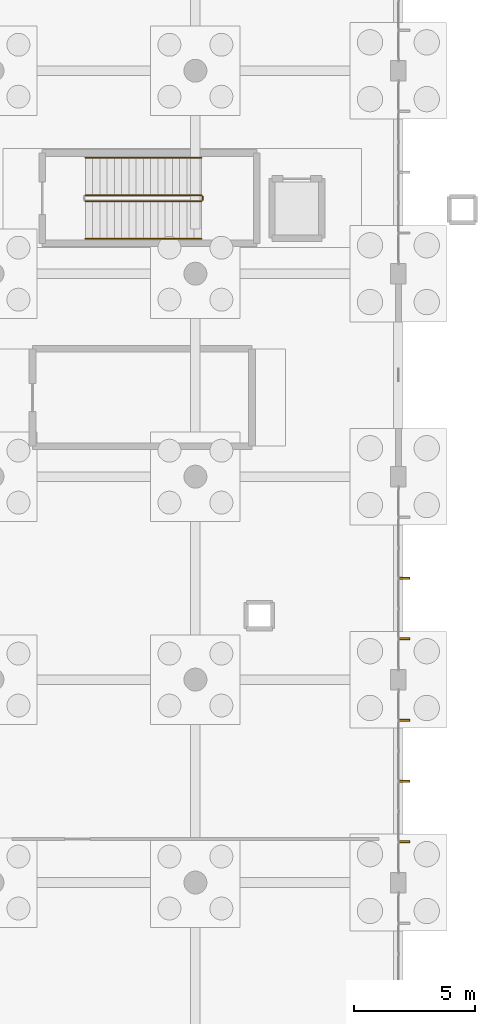
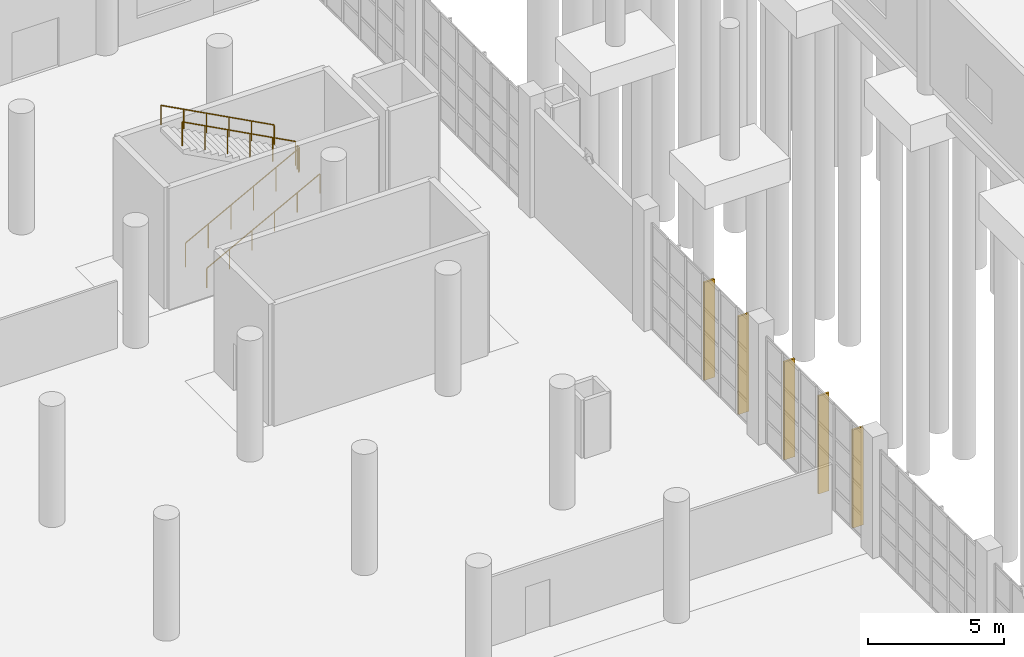
# One storey, part 73 of 83: 5 railings, 5 shading devices.
"""IFC4 building model written with IfcOpenShell, lengths in metres."""

from ifc_helpers import new_model, si_unit, direction, frame, origin, origin_2d, place, context, subcontext, project, spatial, rectangle, circle, extrude, material, type_object, element, save


model = new_model("IFC4")

# Units and contexts
model_context = context("Model", 3, precision=1e-05, world=origin(), true_north=direction((0.0, 1.0)))
body_context = subcontext(model_context, "Body", "Model", "MODEL_VIEW")
ifc_project = project(units=[si_unit("LENGTHUNIT", "METRE"), si_unit("AREAUNIT", "SQUARE_METRE"), si_unit("VOLUMEUNIT", "CUBIC_METRE"), si_unit("PLANEANGLEUNIT", "RADIAN"), si_unit("MASSUNIT", "GRAM", prefix="KILO"), si_unit("THERMODYNAMICTEMPERATUREUNIT", "KELVIN"), si_unit("POWERUNIT", "WATT")], contexts=[model_context])

# Site, building, storey
site_placement = place(None, origin())
site = spatial("IfcSite", under=ifc_project, at=site_placement, CompositionType="ELEMENT")
building_placement = place(site_placement, origin())
building = spatial("IfcBuilding", under=site, at=building_placement, Name="Mavoryth Pier Ferry Terminal", CompositionType="ELEMENT")
storey_placement = place(building_placement, origin())
storey = spatial("IfcBuildingStorey", under=building, at=storey_placement, Name="L00", CompositionType="ELEMENT", Elevation=0.0)

# Shading devices
ifc_material_1 = material(Name="Anodised Aluminium Solar-Shading Fin", Category="aluminium")
shading_device_type = type_object("IfcShadingDeviceType", Name="Fin-BriseSoleil-450x80x4400", PredefinedType="SHUTTER", material=ifc_material_1)
for number, where, z_axis, x_axis, name in (
    (1, (33.84912109375, 65.683349609375, 0.0), (0.0, 0.0, 1.0), (0.0, 1.0, 0.0), "Solar Shading Fin 40"),
    (2, (33.84912109375, 68.199951171875, 0.0), (0.0, 0.0, 1.0), (0.0, 1.0, 0.0), "Solar Shading Fin 41"),
    (3, (33.84912109375, 70.716796875, 0.0), (0.0, 0.0, 1.0), (0.0, 1.0, 0.0), "Solar Shading Fin 42"),
    (4, (33.84912109375, 74.083251953125, 0.0), (0.0, 0.0, 1.0), (0.0, 1.0, 0.0), "Solar Shading Fin 52"),
    (5, (33.84912109375, 76.60009765625, 0.0), (0.0, 0.0, 1.0), (0.0, 1.0, 0.0), "Solar Shading Fin 53"),
):
    element("IfcShadingDevice", number, at=place(storey_placement, frame(where, z_axis=z_axis, x_axis=x_axis)), inside=storey, type_object=shading_device_type, Name=name, PredefinedType="SHUTTER", context=body_context, shape_type="SweptSolid", body=[
        extrude(rectangle(XDim=0.080078125, YDim=0.449951171875, at=origin_2d()), origin(), (0.0, 0.0, 1.0), 4.39990234375),
    ])

# Railings
ifc_material_2 = material(Name="Painted Galvanised Steel Balustrade", Category="steel")
railing_type_1 = type_object("IfcRailingType", Name="Guard-Stair-Steel1100", PredefinedType="GUARDRAIL", material=ifc_material_2)
railing_1_placement = place(storey_placement, frame((20.64990234375, 92.199951171875, 0.159912109375)))
element("IfcRailing", 6, at=railing_1_placement, inside=storey, type_object=railing_type_1, Name="L00 ST02 stair guard 1", PredefinedType="GUARDRAIL", context=body_context, shape_type="SweptSolid", body=[
    extrude(circle(Radius=0.02392578125, at=origin_2d()), frame((0.0, 0.0, 1.076171875), z_axis=(0.882350456557, 0.0, 0.470592893925), x_axis=(0.0, 1.0, 0.0)), (0.0, 0.0, 1.0), 5.440185546875),
    extrude(circle(Radius=0.02099609375, at=origin_2d()), origin(), (0.0, 0.0, 1.0), 1.052001953125),
    extrude(circle(Radius=0.02099609375, at=origin_2d()), frame((0.9599609375, 0.0, 0.511962890625)), (0.0, 0.0, 1.0), 1.052001953125),
    extrude(circle(Radius=0.02099609375, at=origin_2d()), frame((1.919921875, 0.0, 1.02392578125)), (0.0, 0.0, 1.0), 1.052001953125),
    extrude(circle(Radius=0.02099609375, at=origin_2d()), frame((2.880126953125, 0.0, 1.5361328125)), (0.0, 0.0, 1.0), 1.052001953125),
    extrude(circle(Radius=0.02099609375, at=origin_2d()), frame((3.840087890625, 0.0, 2.048095703125)), (0.0, 0.0, 1.0), 1.052001953125),
    extrude(circle(Radius=0.02099609375, at=origin_2d()), frame((4.800048828125, 0.0, 2.56005859375)), (0.0, 0.0, 1.0), 1.052001953125),
])
railing_2_placement = place(storey_placement, frame((25.5, 92.25, 2.719970703125)))
element("IfcRailing", 7, at=railing_2_placement, inside=storey, type_object=railing_type_1, Name="L00 ST02 stair guard 2", PredefinedType="GUARDRAIL", context=body_context, shape_type="SweptSolid", body=[
    extrude(circle(Radius=0.02392578125, at=origin_2d()), frame((0.0, 0.0, 1.076171875), z_axis=(0.0, 1.0, 0.0), x_axis=(-1.0, 0.0, 0.0)), (0.0, 0.0, 1.0), 0.14990234375),
    extrude(circle(Radius=0.02099609375, at=origin_2d()), origin(), (0.0, 0.0, 1.0), 1.052001953125),
    extrude(circle(Radius=0.02099609375, at=origin_2d()), frame((0.0, 0.14990234375, 0.0)), (0.0, 0.0, 1.0), 1.052001953125),
])
railing_3_placement = place(storey_placement, frame((25.449951171875, 92.449951171875, 2.8798828125)))
element("IfcRailing", 8, at=railing_3_placement, inside=storey, type_object=railing_type_1, Name="L00 ST02 stair guard 3", PredefinedType="GUARDRAIL", context=body_context, shape_type="SweptSolid", body=[
    extrude(circle(Radius=0.02392578125, at=origin_2d()), frame((0.0, 0.0, 1.076171875), z_axis=(-0.882350456557, 0.0, 0.470592893925), x_axis=(0.0, -1.0, 0.0)), (0.0, 0.0, 1.0), 5.440185546875),
    extrude(circle(Radius=0.02099609375, at=origin_2d()), origin(), (0.0, 0.0, 1.0), 1.052001953125),
    extrude(circle(Radius=0.02099609375, at=origin_2d()), frame((-0.9599609375, 0.0, 0.511962890625)), (0.0, 0.0, 1.0), 1.052001953125),
    extrude(circle(Radius=0.02099609375, at=origin_2d()), frame((-1.919921875, 0.0, 1.02392578125)), (0.0, 0.0, 1.0), 1.052001953125),
    extrude(circle(Radius=0.02099609375, at=origin_2d()), frame((-2.880126953125, 0.0, 1.5361328125)), (0.0, 0.0, 1.0), 1.052001953125),
    extrude(circle(Radius=0.02099609375, at=origin_2d()), frame((-3.840087890625, 0.0, 2.048095703125)), (0.0, 0.0, 1.0), 1.052001953125),
    extrude(circle(Radius=0.02099609375, at=origin_2d()), frame((-4.800048828125, 0.0, 2.56005859375)), (0.0, 0.0, 1.0), 1.052001953125),
])
ifc_material_3 = material(Name="Brushed Stainless Steel Tubular Handrail", Category="steel")
railing_type_2 = type_object("IfcRailingType", Name="Handrail-Stair-SS900", PredefinedType="HANDRAIL", material=ifc_material_3)
railing_4_placement = place(storey_placement, frame((20.64990234375, 90.64990234375, 0.159912109375)))
element("IfcRailing", 9, at=railing_4_placement, inside=storey, type_object=railing_type_2, Name="L00 ST02 stair handrail 1", PredefinedType="HANDRAIL", context=body_context, shape_type="SweptSolid", body=[
    extrude(circle(Radius=0.02392578125, at=origin_2d()), frame((0.0, 0.0, 0.8759765625), z_axis=(0.882350456557, 0.0, 0.470592893925), x_axis=(0.0, 1.0, 0.0)), (0.0, 0.0, 1.0), 5.440185546875),
    extrude(circle(Radius=0.02099609375, at=origin_2d()), origin(), (0.0, 0.0, 1.0), 0.851806640625),
    extrude(circle(Radius=0.02099609375, at=origin_2d()), frame((0.9599609375, 0.0, 0.511962890625)), (0.0, 0.0, 1.0), 0.851806640625),
    extrude(circle(Radius=0.02099609375, at=origin_2d()), frame((1.919921875, 0.0, 1.02392578125)), (0.0, 0.0, 1.0), 0.851806640625),
    extrude(circle(Radius=0.02099609375, at=origin_2d()), frame((2.880126953125, 0.0, 1.5361328125)), (0.0, 0.0, 1.0), 0.851806640625),
    extrude(circle(Radius=0.02099609375, at=origin_2d()), frame((3.840087890625, 0.0, 2.048095703125)), (0.0, 0.0, 1.0), 0.851806640625),
    extrude(circle(Radius=0.02099609375, at=origin_2d()), frame((4.800048828125, 0.0, 2.56005859375)), (0.0, 0.0, 1.0), 0.851806640625),
])
railing_5_placement = place(storey_placement, frame((25.449951171875, 94.0, 2.8798828125)))
element("IfcRailing", 10, at=railing_5_placement, inside=storey, type_object=railing_type_2, Name="L00 ST02 stair handrail 2", PredefinedType="HANDRAIL", context=body_context, shape_type="SweptSolid", body=[
    extrude(circle(Radius=0.02392578125, at=origin_2d()), frame((0.0, 0.0, 0.8759765625), z_axis=(-0.882350456557, 0.0, 0.470592893925), x_axis=(0.0, -1.0, 0.0)), (0.0, 0.0, 1.0), 5.440185546875),
    extrude(circle(Radius=0.02099609375, at=origin_2d()), origin(), (0.0, 0.0, 1.0), 0.851806640625),
    extrude(circle(Radius=0.02099609375, at=origin_2d()), frame((-0.9599609375, 0.0, 0.511962890625)), (0.0, 0.0, 1.0), 0.851806640625),
    extrude(circle(Radius=0.02099609375, at=origin_2d()), frame((-1.919921875, 0.0, 1.02392578125)), (0.0, 0.0, 1.0), 0.851806640625),
    extrude(circle(Radius=0.02099609375, at=origin_2d()), frame((-2.880126953125, 0.0, 1.5361328125)), (0.0, 0.0, 1.0), 0.851806640625),
    extrude(circle(Radius=0.02099609375, at=origin_2d()), frame((-3.840087890625, 0.0, 2.048095703125)), (0.0, 0.0, 1.0), 0.851806640625),
    extrude(circle(Radius=0.02099609375, at=origin_2d()), frame((-4.800048828125, 0.0, 2.56005859375)), (0.0, 0.0, 1.0), 0.851806640625),
])

save(model, "model.ifc")
